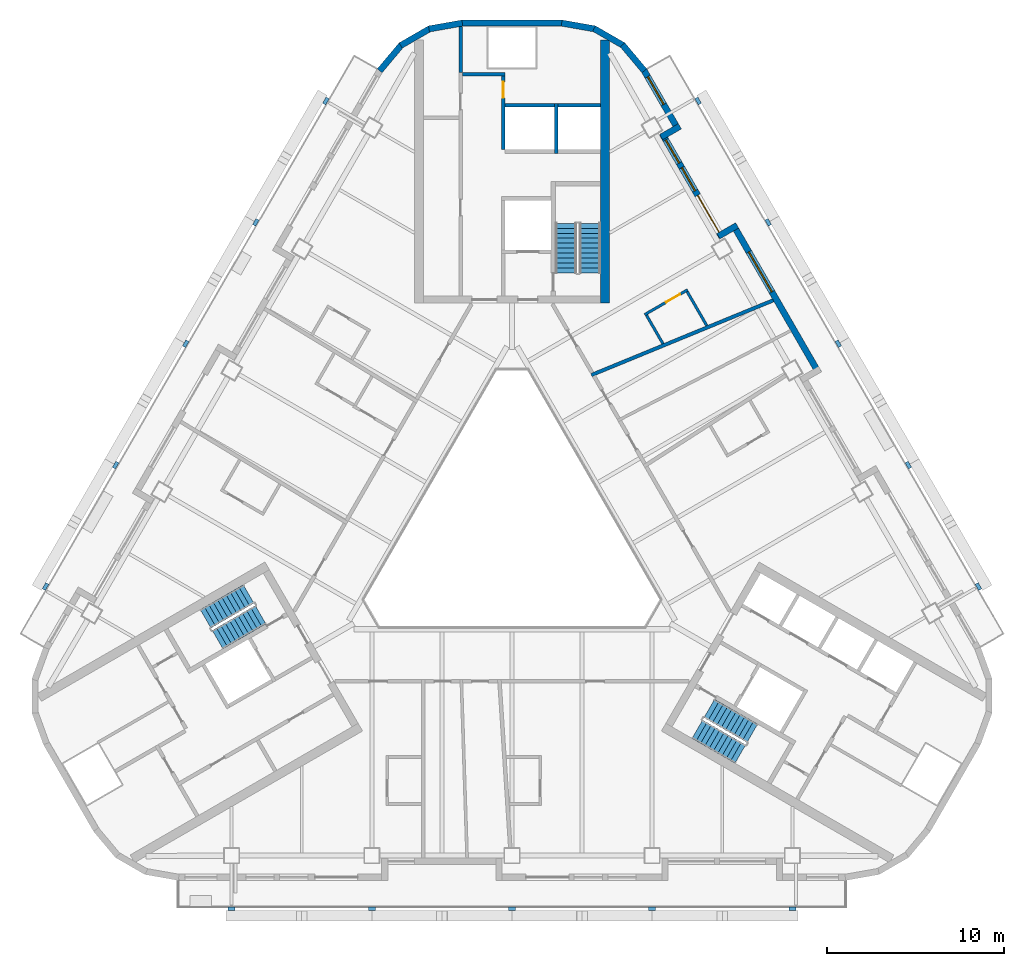
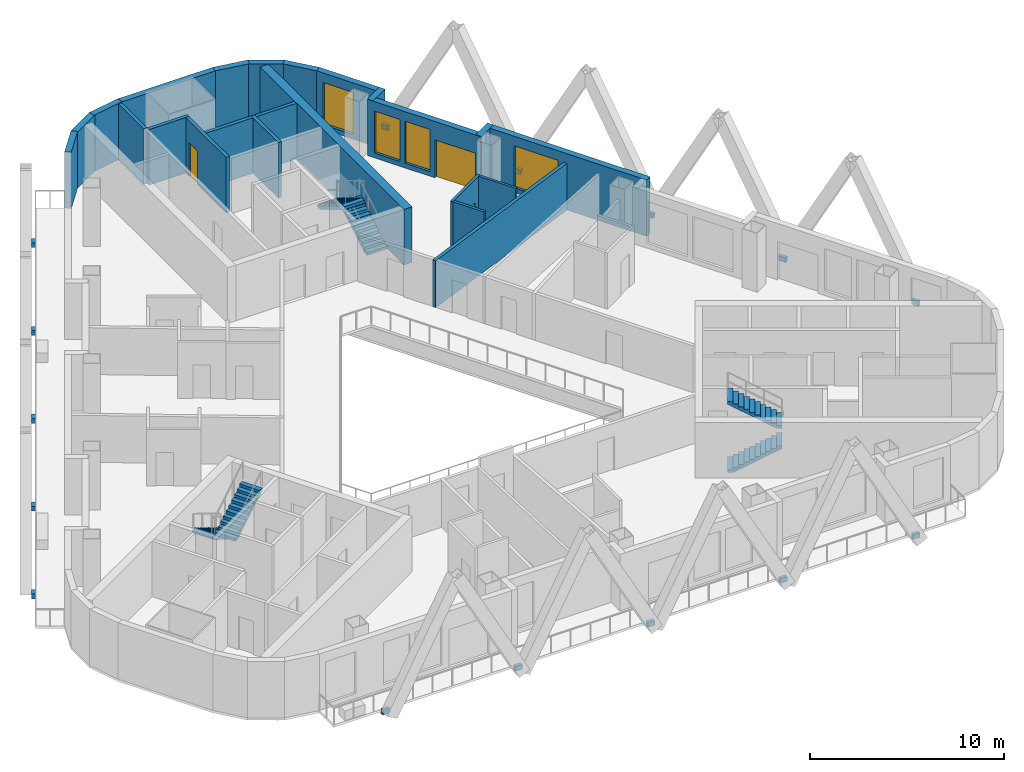
# One storey, part 7 of 13: 23 walls, 15 discrete accessories, 6 stair flights, 4 windows, 3 doors, 7 openings, 3 elements without a shape of their own.
"""IFC4 building model written with IfcOpenShell, lengths in metres."""

from ifc_helpers import new_model, si_unit, direction, frame, frame_2d, origin, origin_2d, place, context, subcontext, project, spatial, polyline, rectangle, outline, extrude, material, layer, layer_set, type_object, element, fill, aggregate, save


model = new_model("IFC4")

# Units and contexts
model_context = context("Model", 3, precision=1e-05, world=origin(), true_north=direction((0.0, 1.0)))
body_context = subcontext(model_context, "Body", "Model", "MODEL_VIEW")
ifc_project = project(units=[si_unit("LENGTHUNIT", "METRE"), si_unit("AREAUNIT", "SQUARE_METRE"), si_unit("VOLUMEUNIT", "CUBIC_METRE"), si_unit("PLANEANGLEUNIT", "RADIAN"), si_unit("MASSUNIT", "GRAM", prefix="KILO")], contexts=[model_context])

# Site, building, storey
site_placement = place(None, origin())
site = spatial("IfcSite", under=ifc_project, at=site_placement, CompositionType="ELEMENT")
building_placement = place(site_placement, origin())
building = spatial("IfcBuilding", under=site, at=building_placement, Name="Apuvela Tower Hotel", CompositionType="ELEMENT")
storey_placement = place(building_placement, frame((0.0, 0.0, 105.699951171875)))
storey = spatial("IfcBuildingStorey", under=building, at=storey_placement, Name="L24", CompositionType="ELEMENT", Elevation=105.699951171875)

# Walls
ifc_material_1 = material(Name="Concrete C50/60", Category="concrete")
ifc_layer_1 = layer(ifc_material_1, 0.5)
ifc_layer_set_1 = layer_set([ifc_layer_1], Name="COR-WALL-CORE-500")
wall_type_1 = type_object("IfcWallType", Name="COR-WALL-CORE-500", PredefinedType="SHEAR", material=ifc_layer_set_1)
wall_1_placement = place(storey_placement, frame((5.25, 12.89990234375, 0.0), z_axis=(0.0, 0.0, 1.0), x_axis=(0.0, 1.0, 0.0)))
element("IfcWall", 1, at=wall_1_placement, inside=storey, type_object=wall_type_1, Name="Core wall N", PredefinedType="SHEAR", context=body_context, shape_type="SweptSolid", body=[
    extrude(rectangle(XDim=14.8369140625, YDim=0.5, at=frame_2d((7.41845703125, 0.0))), origin(), (0.0, 0.0, 1.0), 3.5),
])
ifc_layer_2 = layer(ifc_material_1, 0.199951171875)
ifc_layer_set_2 = layer_set([ifc_layer_2], Name="COR-WALL-SHAFT-200")
wall_type_2 = type_object("IfcWallType", Name="COR-WALL-SHAFT-200", PredefinedType="SHEAR", material=ifc_layer_set_2)
wall_2_placement = place(storey_placement, frame((-0.39990234375, 25.800048828125, 0.0), z_axis=(0.0, 0.0, 1.0), x_axis=(-1.0, 0.0, 0.0)))
element("IfcWall", 2, at=wall_2_placement, inside=storey, type_object=wall_type_2, Name="Shaft wall N", PredefinedType="SHEAR", context=body_context, shape_type="SweptSolid", body=[
    extrude(rectangle(XDim=2.400146484375, YDim=0.199951171875, at=frame_2d((1.2001953125, 0.0))), origin(), (0.0, 0.0, 1.0), 3.5),
])

# Wall, opening, door
wall_3_placement = place(storey_placement, frame((-0.5, 21.550048828125, 0.0), z_axis=(0.0, 0.0, 1.0), x_axis=(0.0, 1.0, 0.0)))
wall_3 = element("IfcWall", 3, at=wall_3_placement, inside=storey, type_object=wall_type_2, Name="Shaft wall N", PredefinedType="SHEAR", context=body_context, shape_type="SweptSolid", body=[
    extrude(rectangle(XDim=4.14990234375, YDim=0.199951171875, at=frame_2d((2.074951171875, 0.0))), origin(), (0.0, 0.0, 1.0), 3.5),
])
opening_1_placement = place(wall_3_placement, frame((2.925048828125, 0.0, 0.0)))
opening_1 = element("IfcOpeningElement", 4, at=opening_1_placement, cuts=wall_3, Name="Opening N-RSP", PredefinedType="OPENING", context=body_context, shape_type="SweptSolid", body=[
    extrude(rectangle(XDim=0.89990234375, YDim=2.10009765625, at=frame_2d((0.449951171875, 1.050048828125))), frame((0.0, 0.10986328125, 0.0), z_axis=(0.0, -1.0, 0.0), x_axis=(1.0, 0.0, 0.0)), (0.0, 0.0, 1.0), 0.219970703125),
])
ifc_material_2 = material(Name="Steel fire door, powder coated", Category="steel")
door_type_1 = type_object("IfcDoorType", Name="COR-DR-900", OperationType="NOTDEFINED", PredefinedType="DOOR", material=ifc_material_2)
door_1_placement = place(opening_1_placement, frame((0.89990234375, 0.0, 0.0), z_axis=(0.0, 0.0, 1.0), x_axis=(-1.0, 0.0, 0.0)))
door_1 = element("IfcDoor", 5, at=door_1_placement, inside=storey, type_object=door_type_1, Name="Store door N-RSP", OperationType="SINGLE_SWING_LEFT", OverallHeight=2.10009765625, OverallWidth=0.89990234375, PredefinedType="DOOR", context=body_context, shape_type="SweptSolid", body=[
    extrude(rectangle(XDim=0.89990234375, YDim=2.10009765625, at=frame_2d((0.449951171875, 1.050048828125))), frame((0.0, 0.02490234375, 0.0), z_axis=(0.0, -1.0, 0.0), x_axis=(1.0, 0.0, 0.0)), (0.0, 0.0, 1.0), 0.050048828125),
])
fill(opening_1, door_1)

# Walls
wall_4_placement = place(storey_placement, frame((-2.89990234375, 25.89990234375, 0.0), z_axis=(0.0, 0.0, 1.0), x_axis=(0.0, 1.0, 0.0)))
element("IfcWall", 6, at=wall_4_placement, inside=storey, type_object=wall_type_2, Name="Shaft wall N", PredefinedType="SHEAR", context=body_context, shape_type="SweptSolid", body=[
    extrude(rectangle(XDim=2.60009765625, YDim=0.199951171875, at=frame_2d((1.300048828125, 0.0))), origin(), (0.0, 0.0, 1.0), 3.5),
])
wall_5_placement = place(storey_placement, frame((2.5, 21.35009765625, 0.0), z_axis=(0.0, 0.0, 1.0), x_axis=(0.0, 1.0, 0.0)))
element("IfcWall", 7, at=wall_5_placement, inside=storey, type_object=wall_type_2, Name="Shaft wall N", PredefinedType="SHEAR", context=body_context, shape_type="SweptSolid", body=[
    extrude(rectangle(XDim=2.7998046875, YDim=0.199951171875, at=frame_2d((1.39990234375, 0.0))), origin(), (0.0, 0.0, 1.0), 3.5),
])
wall_6_placement = place(storey_placement, frame((5.0, 24.050048828125, 0.0), z_axis=(0.0, 0.0, 1.0), x_axis=(-1.0, 0.0, 0.0)))
element("IfcWall", 8, at=wall_6_placement, inside=storey, type_object=wall_type_2, Name="Shaft wall N", PredefinedType="SHEAR", context=body_context, shape_type="SweptSolid", body=[
    extrude(rectangle(XDim=2.39990234375, YDim=0.199951171875, at=frame_2d((1.199951171875, 0.0))), origin(), (0.0, 0.0, 1.0), 3.5),
])
wall_7_placement = place(storey_placement, frame((2.39990234375, 24.050048828125, 0.0), z_axis=(0.0, 0.0, 1.0), x_axis=(-1.0, 0.0, 0.0)))
element("IfcWall", 9, at=wall_7_placement, inside=storey, type_object=wall_type_2, Name="Shaft wall N", PredefinedType="SHEAR", context=body_context, shape_type="SweptSolid", body=[
    extrude(rectangle(XDim=2.7998046875, YDim=0.199951171875, at=frame_2d((1.39990234375, 0.0))), origin(), (0.0, 0.0, 1.0), 3.5),
])

# Wall, opening, window
ifc_material_3 = material(Name="Concrete C40/50, dark pigmented precast panel", Category="concrete")
ifc_layer_3 = layer(ifc_material_3, 0.35009765625)
ifc_layer_set_3 = layer_set([ifc_layer_3], Name="ENV-WALL-350")
wall_type_3 = type_object("IfcWallType", Name="ENV-WALL-350", PredefinedType="SOLIDWALL", material=ifc_layer_set_3)
wall_8_placement = place(storey_placement, frame((17.298583984375, 8.947998046875, 0.0), z_axis=(0.0, 0.0, 1.0), x_axis=(-0.500010041276, 0.866019606374, 0.0)))
wall_8 = element("IfcWall", 10, at=wall_8_placement, inside=storey, type_object=wall_type_3, Name="External wall L24-37", PredefinedType="SOLIDWALL", context=body_context, shape_type="SweptSolid", body=[
    extrude(rectangle(XDim=9.699951171875, YDim=0.35009765625, at=frame_2d((4.85009765625, 0.0))), origin(), (0.0, 0.0, 1.0), 3.550048828125),
])
opening_2_placement = place(wall_8_placement, frame((5.301025390625, 0.0, 0.300048828125)))
opening_2 = element("IfcOpeningElement", 11, at=opening_2_placement, cuts=wall_8, Name="Opening WN26", PredefinedType="OPENING", context=body_context, shape_type="SweptSolid", body=[
    extrude(rectangle(XDim=2.60009765625, YDim=2.64990234375, at=frame_2d((1.300048828125, 1.324951171875))), frame((0.0, 0.18505859375, 0.0), z_axis=(0.0, -1.0, 0.0), x_axis=(1.0, 0.0, 0.0)), (0.0, 0.0, 1.0), 0.3701171875),
])
ifc_material_4 = material(Name="Glass, dark tinted laminated insulated glazing unit", Category="glass")
window_type_1 = type_object("IfcWindowType", Name="ENV-WIN-2600x2650", PartitioningType="SINGLE_PANEL", PredefinedType="WINDOW", material=ifc_material_4)
window_1_placement = place(opening_2_placement, origin())
window_1 = element("IfcWindow", 12, at=window_1_placement, inside=storey, type_object=window_type_1, Name="Window WN26", OverallHeight=2.64990234375, OverallWidth=2.60009765625, PartitioningType="SINGLE_PANEL", PredefinedType="WINDOW", context=body_context, shape_type="SweptSolid", body=[
    extrude(rectangle(XDim=2.60009765625, YDim=2.64990234375, at=frame_2d((1.300048828125, 1.324951171875))), frame((0.0, 0.030029296875, 0.0), z_axis=(0.0, -1.0, 0.0), x_axis=(1.0, 0.0, 0.0)), (0.0, 0.0, 1.0), 0.06005859375),
])
fill(opening_2, window_1)

# Wall
wall_9_placement = place(storey_placement, frame((12.6875, 17.284423828125, 0.0), z_axis=(0.0, 0.0, 1.0), x_axis=(-0.865955602162, -0.500120880472, 0.0)))
element("IfcWall", 13, at=wall_9_placement, inside=storey, type_object=wall_type_3, Name="External wall L24-38", PredefinedType="SOLIDWALL", context=body_context, shape_type="SweptSolid", body=[
    extrude(rectangle(XDim=1.219970703125, YDim=0.35009765625, at=frame_2d((0.60986328125, 0.0))), origin(), (0.0, 0.0, 1.0), 3.550048828125),
])

# Wall, openings, door, windows
wall_10_placement = place(storey_placement, frame((11.8291015625, 16.621337890625, 0.0), z_axis=(0.0, 0.0, 1.0), x_axis=(-0.500003597184, 0.866023326939, 0.0)))
wall_10 = element("IfcWall", 14, at=wall_10_placement, inside=storey, type_object=wall_type_3, Name="External wall L24-39", PredefinedType="SOLIDWALL", context=body_context, shape_type="SweptSolid", body=[
    extrude(rectangle(XDim=6.740234375, YDim=0.35009765625, at=frame_2d((3.3701171875, 0.0))), origin(), (0.0, 0.0, 1.0), 3.550048828125),
])
opening_3_placement = place(wall_10_placement, frame((0.320068359375, 0.0, 0.0)))
opening_3 = element("IfcOpeningElement", 15, at=opening_3_placement, cuts=wall_10, Name="Opening BD24", PredefinedType="OPENING", context=body_context, shape_type="SweptSolid", body=[
    extrude(rectangle(XDim=2.39990234375, YDim=2.39990234375, at=frame_2d((1.199951171875, 1.199951171875))), frame((0.0, 0.18505859375, 0.0), z_axis=(0.0, -1.0, 0.0), x_axis=(1.0, 0.0, 0.0)), (0.0, 0.0, 1.0), 0.3701171875),
])
opening_4_placement = place(wall_10_placement, frame((3.02001953125, 0.0, 0.300048828125)))
opening_4 = element("IfcOpeningElement", 16, at=opening_4_placement, cuts=wall_10, Name="Opening WN15", PredefinedType="OPENING", context=body_context, shape_type="SweptSolid", body=[
    extrude(rectangle(XDim=1.5, YDim=2.64990234375, at=frame_2d((0.75, 1.324951171875))), frame((0.0, 0.18505859375, 0.0), z_axis=(0.0, -1.0, 0.0), x_axis=(1.0, 0.0, 0.0)), (0.0, 0.0, 1.0), 0.3701171875),
])
opening_5_placement = place(wall_10_placement, frame((4.820068359375, 0.0, 0.300048828125)))
opening_5 = element("IfcOpeningElement", 17, at=opening_5_placement, cuts=wall_10, Name="Opening WN15", PredefinedType="OPENING", context=body_context, shape_type="SweptSolid", body=[
    extrude(rectangle(XDim=1.5, YDim=2.64990234375, at=frame_2d((0.75, 1.324951171875))), frame((0.0, 0.18505859375, 0.0), z_axis=(0.0, -1.0, 0.0), x_axis=(1.0, 0.0, 0.0)), (0.0, 0.0, 1.0), 0.3701171875),
])
ifc_material_5 = material(Name="Aluminium 6063-T6, dark bronze anodised frame with dark tinted laminated glass", Category="aluminium")
door_type_2 = type_object("IfcDoorType", Name="ENV-DOOR-BALCONY-2400x2400", OperationType="SLIDING_TO_LEFT", PredefinedType="DOOR", material=ifc_material_5)
door_2_placement = place(opening_3_placement, frame((2.39990234375, 0.0, 0.0), z_axis=(0.0, 0.0, 1.0), x_axis=(-1.0, 0.0, 0.0)))
door_2 = element("IfcDoor", 18, at=door_2_placement, inside=storey, type_object=door_type_2, Name="Balcony door BD24", OperationType="SLIDING_TO_LEFT", OverallHeight=2.39990234375, OverallWidth=2.39990234375, PredefinedType="DOOR", context=body_context, shape_type="SweptSolid", body=[
    extrude(rectangle(XDim=2.39990234375, YDim=2.39990234375, at=frame_2d((1.199951171875, 1.199951171875))), frame((0.0, 0.02490234375, 0.0), z_axis=(0.0, -1.0, 0.0), x_axis=(1.0, 0.0, 0.0)), (0.0, 0.0, 1.0), 0.050048828125),
])
fill(opening_3, door_2)
window_type_2 = type_object("IfcWindowType", Name="ENV-WIN-1500x2650", PartitioningType="SINGLE_PANEL", PredefinedType="WINDOW", material=ifc_material_4)
window_2_placement = place(opening_4_placement, origin())
window_2 = element("IfcWindow", 19, at=window_2_placement, inside=storey, type_object=window_type_2, Name="Window WN15", OverallHeight=2.64990234375, OverallWidth=1.5, PartitioningType="SINGLE_PANEL", PredefinedType="WINDOW", context=body_context, shape_type="SweptSolid", body=[
    extrude(rectangle(XDim=1.5, YDim=2.64990234375, at=frame_2d((0.75, 1.324951171875))), frame((0.0, 0.030029296875, 0.0), z_axis=(0.0, -1.0, 0.0), x_axis=(1.0, 0.0, 0.0)), (0.0, 0.0, 1.0), 0.06005859375),
])
fill(opening_4, window_2)
window_3_placement = place(opening_5_placement, origin())
window_3 = element("IfcWindow", 20, at=window_3_placement, inside=storey, type_object=window_type_2, Name="Window WN15", OverallHeight=2.64990234375, OverallWidth=1.5, PartitioningType="SINGLE_PANEL", PredefinedType="WINDOW", context=body_context, shape_type="SweptSolid", body=[
    extrude(rectangle(XDim=1.5, YDim=2.64990234375, at=frame_2d((0.75, 1.324951171875))), frame((0.0, 0.030029296875, 0.0), z_axis=(0.0, -1.0, 0.0), x_axis=(1.0, 0.0, 0.0)), (0.0, 0.0, 1.0), 0.06005859375),
])
fill(opening_5, window_3)

# Wall
wall_11_placement = place(storey_placement, frame((8.406005859375, 22.26025390625, 0.0), z_axis=(0.0, 0.0, 1.0), x_axis=(0.865955602162, 0.500120880472, 0.0)))
element("IfcWall", 21, at=wall_11_placement, inside=storey, type_object=wall_type_3, Name="External wall L24-40", PredefinedType="SOLIDWALL", context=body_context, shape_type="SweptSolid", body=[
    extrude(rectangle(XDim=1.219970703125, YDim=0.35009765625, at=frame_2d((0.60986328125, 0.0))), origin(), (0.0, 0.0, 1.0), 3.550048828125),
])

# Wall, opening, window
wall_12_placement = place(storey_placement, frame((9.3984375, 22.631103515625, 0.0), z_axis=(0.0, 0.0, 1.0), x_axis=(-0.499954521343, 0.866051659307, 0.0)))
wall_12 = element("IfcWall", 22, at=wall_12_placement, inside=storey, type_object=wall_type_3, Name="External wall L24-41", PredefinedType="SOLIDWALL", context=body_context, shape_type="SweptSolid", body=[
    extrude(rectangle(XDim=3.915771484375, YDim=0.35009765625, at=frame_2d((1.9580078125, 0.0))), origin(), (0.0, 0.0, 1.0), 3.550048828125),
])
opening_6_placement = place(wall_12_placement, frame((1.69970703125, 0.0, 0.300048828125)))
opening_6 = element("IfcOpeningElement", 23, at=opening_6_placement, cuts=wall_12, Name="Opening WN18", PredefinedType="OPENING", context=body_context, shape_type="SweptSolid", body=[
    extrude(rectangle(XDim=1.800048828125, YDim=2.64990234375, at=frame_2d((0.89990234375, 1.324951171875))), frame((0.0, 0.18505859375, 0.0), z_axis=(0.0, -1.0, 0.0), x_axis=(1.0, 0.0, 0.0)), (0.0, 0.0, 1.0), 0.3701171875),
])
window_type_3 = type_object("IfcWindowType", Name="ENV-WIN-1800x2650", PartitioningType="SINGLE_PANEL", PredefinedType="WINDOW", material=ifc_material_4)
window_4_placement = place(opening_6_placement, origin())
window_4 = element("IfcWindow", 24, at=window_4_placement, inside=storey, type_object=window_type_3, Name="Window WN18", OverallHeight=2.64990234375, OverallWidth=1.800048828125, PartitioningType="SINGLE_PANEL", PredefinedType="WINDOW", context=body_context, shape_type="SweptSolid", body=[
    extrude(rectangle(XDim=1.800048828125, YDim=2.64990234375, at=frame_2d((0.89990234375, 1.324951171875))), frame((0.0, 0.030029296875, 0.0), z_axis=(0.0, -1.0, 0.0), x_axis=(1.0, 0.0, 0.0)), (0.0, 0.0, 1.0), 0.06005859375),
])
fill(opening_6, window_4)

# Walls
wall_13_placement = place(storey_placement, frame((7.4580078125, 25.99755859375, 0.0), z_axis=(0.0, 0.0, 1.0), x_axis=(-0.642808304945, 0.766027077259, 0.0)))
element("IfcWall", 25, at=wall_13_placement, inside=storey, type_object=wall_type_3, Name="External wall L24-42", PredefinedType="SOLIDWALL", context=body_context, shape_type="SweptSolid", body=[
    extrude(rectangle(XDim=1.909912109375, YDim=0.35009765625, at=frame_2d((0.955078125, 0.0))), origin(), (0.0, 0.0, 1.0), 3.550048828125),
])
for number, where, z_axis, x_axis, name in (
    (26, (6.27685546875, 27.421630859375, 0.0), (0.0, 0.0, 1.0), (-0.866032345022, 0.499987977232, 0.0), "External wall L24-43"),
    (27, (4.6796875, 28.35595703125, 0.0), (0.0, 0.0, 1.0), (-0.984798995425, 0.173697837091, 0.0), "External wall L24-44"),
):
    element("IfcWall", number, at=place(storey_placement, frame(where, z_axis=z_axis, x_axis=x_axis)), inside=storey, type_object=wall_type_3, Name=name, PredefinedType="SOLIDWALL", context=body_context, shape_type="SweptSolid", body=[
        extrude(rectangle(XDim=1.91015625, YDim=0.35009765625, at=frame_2d((0.955078125, 0.0))), origin(), (0.0, 0.0, 1.0), 3.550048828125),
    ])
wall_14_placement = place(storey_placement, frame((2.8291015625, 28.68505859375, 0.0), z_axis=(0.0, 0.0, 1.0), x_axis=(-1.0, 0.0, 0.0)))
element("IfcWall", 28, at=wall_14_placement, inside=storey, type_object=wall_type_3, Name="External wall L24-45", PredefinedType="SOLIDWALL", context=body_context, shape_type="SweptSolid", body=[
    extrude(rectangle(XDim=5.658203125, YDim=0.35009765625, at=frame_2d((2.8291015625, 0.0))), origin(), (0.0, 0.0, 1.0), 3.550048828125),
])
for number, where, z_axis, x_axis, name in (
    (29, (-2.798583984375, 28.687744140625, 0.0), (0.0, 0.0, 1.0), (-0.984798995425, -0.173697837091, 0.0), "External wall L24-46"),
    (30, (-4.62255859375, 28.376708984375, 0.0), (0.0, 0.0, 1.0), (-0.866032345022, -0.499987977232, 0.0), "External wall L24-47"),
):
    element("IfcWall", number, at=place(storey_placement, frame(where, z_axis=z_axis, x_axis=x_axis)), inside=storey, type_object=wall_type_3, Name=name, PredefinedType="SOLIDWALL", context=body_context, shape_type="SweptSolid", body=[
        extrude(rectangle(XDim=1.91015625, YDim=0.35009765625, at=frame_2d((0.955078125, 0.0))), origin(), (0.0, 0.0, 1.0), 3.550048828125),
    ])
wall_15_placement = place(storey_placement, frame((-6.230224609375, 27.460693359375, 0.0), z_axis=(0.0, 0.0, 1.0), x_axis=(-0.642808304945, -0.766027077259, 0.0)))
element("IfcWall", 31, at=wall_15_placement, inside=storey, type_object=wall_type_3, Name="External wall L24-48", PredefinedType="SOLIDWALL", context=body_context, shape_type="SweptSolid", body=[
    extrude(rectangle(XDim=1.909912109375, YDim=0.35009765625, at=frame_2d((0.955078125, 0.0))), origin(), (0.0, 0.0, 1.0), 3.550048828125),
])
ifc_material_6 = material(Name="Gypsum board partition on twin steel stud", Category="steel")
ifc_layer_4 = layer(ifc_material_6, 0.199951171875)
ifc_layer_set_4 = layer_set([ifc_layer_4], Name="GST-PW1")
wall_type_4 = type_object("IfcWallType", Name="GST-PW1", PredefinedType="PARTITIONING", material=ifc_layer_set_4)
wall_16_placement = place(storey_placement, frame((14.721923828125, 13.060791015625, 0.0), z_axis=(0.0, 0.0, 1.0), x_axis=(-0.9249494111, -0.380090235214, 0.0)))
element("IfcWall", 32, at=wall_16_placement, inside=storey, type_object=wall_type_4, Name="L24 partition 04", PredefinedType="PARTITIONING", context=body_context, shape_type="SweptSolid", body=[
    extrude(rectangle(XDim=11.078857421875, YDim=0.199951171875, at=frame_2d((5.53955078125, 0.0))), origin(), (0.0, 0.0, 1.0), 2.949951171875),
])

# Wall, opening, door
ifc_material_7 = material(Name="Moisture-resistant gypsum board wet wall on steel stud", Category="steel")
ifc_layer_5 = layer(ifc_material_7, 0.14990234375)
ifc_layer_set_5 = layer_set([ifc_layer_5], Name="GST-PW3")
wall_type_5 = type_object("IfcWallType", Name="GST-PW3", PredefinedType="PARTITIONING", material=ifc_layer_set_5)
wall_17_placement = place(storey_placement, frame((9.899658203125, 13.6533203125, 0.0), z_axis=(0.0, 0.0, 1.0), x_axis=(-0.866056369097, -0.49994636267, 0.0)))
wall_17 = element("IfcWall", 33, at=wall_17_placement, inside=storey, type_object=wall_type_5, Name="L24 partition 26", PredefinedType="PARTITIONING", context=body_context, shape_type="SweptSolid", body=[
    extrude(rectangle(XDim=2.800048828125, YDim=0.14990234375, at=frame_2d((1.39990234375, 0.0))), origin(), (0.0, 0.0, 1.0), 3.550048828125),
])
opening_7_placement = place(wall_17_placement, frame((0.5, 0.0, 0.0)))
opening_7 = element("IfcOpeningElement", 34, at=opening_7_placement, cuts=wall_17, Name="Opening GD08-11", PredefinedType="OPENING", context=body_context, shape_type="SweptSolid", body=[
    extrude(rectangle(XDim=0.89990234375, YDim=2.10009765625, at=frame_2d((0.449951171875, 1.050048828125))), frame((0.0, 0.0849609375, 0.0), z_axis=(0.0, -1.0, 0.0), x_axis=(1.0, 0.0, 0.0)), (0.0, 0.0, 1.0), 0.169921875),
])
ifc_material_8 = material(Name="Timber door leaf in steel frame", Category="steel")
door_type_3 = type_object("IfcDoorType", Name="GST-D2", OperationType="NOTDEFINED", PredefinedType="DOOR", material=ifc_material_8)
door_3_placement = place(opening_7_placement, origin())
door_3 = element("IfcDoor", 35, at=door_3_placement, inside=storey, type_object=door_type_3, Name="Door L24-11", OperationType="SINGLE_SWING_LEFT", OverallHeight=2.10009765625, OverallWidth=0.89990234375, PredefinedType="DOOR", context=body_context, shape_type="SweptSolid", body=[
    extrude(rectangle(XDim=0.89990234375, YDim=2.10009765625, at=frame_2d((0.449951171875, 1.050048828125))), frame((0.0, 0.02490234375, 0.0), z_axis=(0.0, -1.0, 0.0), x_axis=(1.0, 0.0, 0.0)), (0.0, 0.0, 1.0), 0.050048828125),
])
fill(opening_7, door_3)

# Walls
wall_18_placement = place(storey_placement, frame((10.98046875, 11.63134765625, 0.0), z_axis=(0.0, 0.0, 1.0), x_axis=(-0.500024353964, 0.86601134256, 0.0)))
element("IfcWall", 36, at=wall_18_placement, inside=storey, type_object=wall_type_5, Name="L24 partition 27", PredefinedType="PARTITIONING", context=body_context, shape_type="SweptSolid", body=[
    extrude(rectangle(XDim=2.216796875, YDim=0.14990234375, at=frame_2d((1.1083984375, 0.0))), origin(), (0.0, 0.0, 1.0), 3.550048828125),
])
wall_19_placement = place(storey_placement, frame((8.507080078125, 10.614990234375, 0.0), z_axis=(0.0, 0.0, 1.0), x_axis=(-0.499908018857, 0.866078502609, 0.0)))
element("IfcWall", 37, at=wall_19_placement, inside=storey, type_object=wall_type_5, Name="L24 partition 28", PredefinedType="PARTITIONING", context=body_context, shape_type="SweptSolid", body=[
    extrude(rectangle(XDim=1.860107421875, YDim=0.14990234375, at=frame_2d((0.93017578125, 0.0))), origin(), (0.0, 0.0, 1.0), 3.550048828125),
])

# Stair, stair flights
stair_type = type_object("IfcStairType", Name="COR-STAIR-22R", PredefinedType="HALF_TURN_STAIR", material=ifc_material_1)
stair_1_placement = place(storey_placement, origin())
stair_1 = element("IfcStair", 38, at=stair_1_placement, inside=storey, type_object=stair_type, Name="L24 Exit stair ST1", PredefinedType="HALF_TURN_STAIR")
stair_flight_type = type_object("IfcStairFlightType", Name="COR-FLIGHT-11R", PredefinedType="STRAIGHT", material=ifc_material_1)
stair_flight_1_placement = place(storey_placement, frame((4.39990234375, 14.60009765625, 0.0), z_axis=(0.0, 0.0, 1.0), x_axis=(0.0, 1.0, 0.0)))
stair_flight_1 = element("IfcStairFlight", 39, at=stair_flight_1_placement, type_object=stair_flight_type, Name="ST1 flight 1", NumberOfRisers=11, NumberOfTreads=10, PredefinedType="STRAIGHT", RiserHeight=0.168181818, TreadLength=0.28, context=body_context, shape_type="SweptSolid", body=[
    extrude(outline(polyline([(0.0, 0.0), (0.0, 0.168212890625), (0.280029296875, 0.168212890625), (0.280029296875, 0.33642578125), (0.56005859375, 0.33642578125), (0.56005859375, 0.504638671875), (0.840087890625, 0.504638671875), (0.840087890625, 0.672607421875), (1.1201171875, 0.672607421875), (1.1201171875, 0.8408203125), (1.39990234375, 0.8408203125), (1.39990234375, 1.009033203125), (1.679931640625, 1.009033203125), (1.679931640625, 1.17724609375), (1.9599609375, 1.17724609375), (1.9599609375, 1.345458984375), (2.239990234375, 1.345458984375), (2.239990234375, 1.513671875), (2.52001953125, 1.513671875), (2.52001953125, 1.681884765625), (2.800048828125, 1.681884765625), (2.800048828125, 1.85009765625), (2.800048828125, 1.5068359375), (0.291015625, 0.0), (0.0, 0.0)])), frame((0.0, 0.60009765625, 0.0), z_axis=(0.0, -1.0, 0.0), x_axis=(1.0, 0.0, 0.0)), (0.0, 0.0, 1.0), 1.199951171875),
])
stair_flight_2_placement = place(storey_placement, frame((3.050048828125, 17.39990234375, 1.85009765625), z_axis=(0.0, 0.0, 1.0), x_axis=(0.0, -1.0, 0.0)))
stair_flight_2 = element("IfcStairFlight", 40, at=stair_flight_2_placement, type_object=stair_flight_type, Name="ST1 flight 2", NumberOfRisers=11, NumberOfTreads=10, PredefinedType="STRAIGHT", RiserHeight=0.168181818, TreadLength=0.28, context=body_context, shape_type="SweptSolid", body=[
    extrude(outline(polyline([(0.0, 0.0), (0.0, 0.168212890625), (0.280029296875, 0.168212890625), (0.280029296875, 0.33642578125), (0.56005859375, 0.33642578125), (0.56005859375, 0.504638671875), (0.840087890625, 0.504638671875), (0.840087890625, 0.672607421875), (1.1201171875, 0.672607421875), (1.1201171875, 0.8408203125), (1.39990234375, 0.8408203125), (1.39990234375, 1.009033203125), (1.679931640625, 1.009033203125), (1.679931640625, 1.17724609375), (1.9599609375, 1.17724609375), (1.9599609375, 1.345458984375), (2.239990234375, 1.345458984375), (2.239990234375, 1.513671875), (2.52001953125, 1.513671875), (2.52001953125, 1.681884765625), (2.800048828125, 1.681884765625), (2.800048828125, 1.85009765625), (2.800048828125, 1.5068359375), (0.291015625, 0.0), (0.0, 0.0)])), frame((0.0, 0.60009765625, 0.0), z_axis=(0.0, -1.0, 0.0), x_axis=(1.0, 0.0, 0.0)), (0.0, 0.0, 1.0), 1.199951171875),
])
aggregate(stair_1, [stair_flight_1, stair_flight_2])

stair_2_placement = place(storey_placement, origin())
stair_2 = element("IfcStair", 41, at=stair_2_placement, inside=storey, type_object=stair_type, Name="L24 Exit stair ST2", PredefinedType="HALF_TURN_STAIR")
stair_flight_3_placement = place(storey_placement, frame((-14.843994140625, -3.489501953125, 0.0), z_axis=(0.0, 0.0, 1.0), x_axis=(-0.866025403784, -0.5, 0.0)))
stair_flight_3 = element("IfcStairFlight", 42, at=stair_flight_3_placement, type_object=stair_flight_type, Name="ST2 flight 1", NumberOfRisers=11, NumberOfTreads=10, PredefinedType="STRAIGHT", RiserHeight=0.168181818, TreadLength=0.28, context=body_context, shape_type="SweptSolid", body=[
    extrude(outline(polyline([(0.0, 0.0), (0.0, 0.168212890625), (0.280029296875, 0.168212890625), (0.280029296875, 0.33642578125), (0.56005859375, 0.33642578125), (0.56005859375, 0.504638671875), (0.840087890625, 0.504638671875), (0.840087890625, 0.672607421875), (1.1201171875, 0.672607421875), (1.1201171875, 0.8408203125), (1.39990234375, 0.8408203125), (1.39990234375, 1.009033203125), (1.679931640625, 1.009033203125), (1.679931640625, 1.17724609375), (1.9599609375, 1.17724609375), (1.9599609375, 1.345458984375), (2.239990234375, 1.345458984375), (2.239990234375, 1.513671875), (2.52001953125, 1.513671875), (2.52001953125, 1.681884765625), (2.800048828125, 1.681884765625), (2.800048828125, 1.85009765625), (2.800048828125, 1.5068359375), (0.291015625, 0.0), (0.0, 0.0)])), frame((0.0, 0.60009765625, 0.0), z_axis=(0.0, -1.0, 0.0), x_axis=(1.0, 0.0, 0.0)), (0.0, 0.0, 1.0), 1.199951171875),
])
stair_flight_4_placement = place(storey_placement, frame((-16.59375, -6.05859375, 1.85009765625), z_axis=(0.0, 0.0, 1.0), x_axis=(0.866025403784, 0.5, 0.0)))
stair_flight_4 = element("IfcStairFlight", 43, at=stair_flight_4_placement, type_object=stair_flight_type, Name="ST2 flight 2", NumberOfRisers=11, NumberOfTreads=10, PredefinedType="STRAIGHT", RiserHeight=0.168181818, TreadLength=0.28, context=body_context, shape_type="SweptSolid", body=[
    extrude(outline(polyline([(0.0, 0.0), (0.0, 0.168212890625), (0.280029296875, 0.168212890625), (0.280029296875, 0.33642578125), (0.56005859375, 0.33642578125), (0.56005859375, 0.504638671875), (0.840087890625, 0.504638671875), (0.840087890625, 0.672607421875), (1.1201171875, 0.672607421875), (1.1201171875, 0.8408203125), (1.39990234375, 0.8408203125), (1.39990234375, 1.009033203125), (1.679931640625, 1.009033203125), (1.679931640625, 1.17724609375), (1.9599609375, 1.17724609375), (1.9599609375, 1.345458984375), (2.239990234375, 1.345458984375), (2.239990234375, 1.513671875), (2.52001953125, 1.513671875), (2.52001953125, 1.681884765625), (2.800048828125, 1.681884765625), (2.800048828125, 1.85009765625), (2.800048828125, 1.5068359375), (0.291015625, 0.0), (0.0, 0.0)])), frame((0.0, 0.60009765625, 0.0), z_axis=(0.0, -1.0, 0.0), x_axis=(1.0, 0.0, 0.0)), (0.0, 0.0, 1.0), 1.199951171875),
])
aggregate(stair_2, [stair_flight_3, stair_flight_4])

stair_3_placement = place(storey_placement, origin())
stair_3 = element("IfcStair", 44, at=stair_3_placement, inside=storey, type_object=stair_type, Name="L24 Exit stair ST3", PredefinedType="HALF_TURN_STAIR")
stair_flight_5_placement = place(storey_placement, frame((10.444091796875, -11.110595703125, 0.0), z_axis=(0.0, 0.0, 1.0), x_axis=(0.866025403784, -0.5, 0.0)))
stair_flight_5 = element("IfcStairFlight", 45, at=stair_flight_5_placement, type_object=stair_flight_type, Name="ST3 flight 1", NumberOfRisers=11, NumberOfTreads=10, PredefinedType="STRAIGHT", RiserHeight=0.168181818, TreadLength=0.28, context=body_context, shape_type="SweptSolid", body=[
    extrude(outline(polyline([(0.0, 0.0), (0.0, 0.168212890625), (0.280029296875, 0.168212890625), (0.280029296875, 0.33642578125), (0.56005859375, 0.33642578125), (0.56005859375, 0.504638671875), (0.840087890625, 0.504638671875), (0.840087890625, 0.672607421875), (1.1201171875, 0.672607421875), (1.1201171875, 0.8408203125), (1.39990234375, 0.8408203125), (1.39990234375, 1.009033203125), (1.679931640625, 1.009033203125), (1.679931640625, 1.17724609375), (1.9599609375, 1.17724609375), (1.9599609375, 1.345458984375), (2.239990234375, 1.345458984375), (2.239990234375, 1.513671875), (2.52001953125, 1.513671875), (2.52001953125, 1.681884765625), (2.800048828125, 1.681884765625), (2.800048828125, 1.85009765625), (2.800048828125, 1.5068359375), (0.291015625, 0.0), (0.0, 0.0)])), frame((0.0, 0.60009765625, 0.0), z_axis=(0.0, -1.0, 0.0), x_axis=(1.0, 0.0, 0.0)), (0.0, 0.0, 1.0), 1.199951171875),
])
stair_flight_6_placement = place(storey_placement, frame((13.5439453125, -11.34130859375, 1.85009765625), z_axis=(0.0, 0.0, 1.0), x_axis=(-0.866025403784, 0.5, 0.0)))
stair_flight_6 = element("IfcStairFlight", 46, at=stair_flight_6_placement, type_object=stair_flight_type, Name="ST3 flight 2", NumberOfRisers=11, NumberOfTreads=10, PredefinedType="STRAIGHT", RiserHeight=0.168181818, TreadLength=0.28, context=body_context, shape_type="SweptSolid", body=[
    extrude(outline(polyline([(0.0, 0.0), (0.0, 0.168212890625), (0.280029296875, 0.168212890625), (0.280029296875, 0.33642578125), (0.56005859375, 0.33642578125), (0.56005859375, 0.504638671875), (0.840087890625, 0.504638671875), (0.840087890625, 0.672607421875), (1.1201171875, 0.672607421875), (1.1201171875, 0.8408203125), (1.39990234375, 0.8408203125), (1.39990234375, 1.009033203125), (1.679931640625, 1.009033203125), (1.679931640625, 1.17724609375), (1.9599609375, 1.17724609375), (1.9599609375, 1.345458984375), (2.239990234375, 1.345458984375), (2.239990234375, 1.513671875), (2.52001953125, 1.513671875), (2.52001953125, 1.681884765625), (2.800048828125, 1.681884765625), (2.800048828125, 1.85009765625), (2.800048828125, 1.5068359375), (0.291015625, 0.0), (0.0, 0.0)])), frame((0.0, 0.60009765625, 0.0), z_axis=(0.0, -1.0, 0.0), x_axis=(1.0, 0.0, 0.0)), (0.0, 0.0, 1.0), 1.199951171875),
])
aggregate(stair_3, [stair_flight_5, stair_flight_6])

# Discrete accessories
ifc_material_9 = material(Name="Steel S355, black paint system", Category="steel")
discrete_accessory_type = type_object("IfcDiscreteAccessoryType", Name="ENV-FIN-BRACKET", PredefinedType="BRACKET", material=ifc_material_9)
for number, where, z_axis, x_axis, name in (
    (47, (26.28564453125, -3.068115234375, -0.25), (0.0, 0.0, 1.0), (-0.5, 0.866025403784, 0.0), "Fin bracket NE37"),
    (48, (22.335693359375, 3.7734375, -0.25), (0.0, 0.0, 1.0), (-0.5, 0.866025403784, 0.0), "Fin bracket NE38"),
    (49, (18.3857421875, 10.614990234375, -0.25), (0.0, 0.0, 1.0), (-0.5, 0.866025403784, 0.0), "Fin bracket NE39"),
    (50, (14.435791015625, 17.45654296875, -0.25), (0.0, 0.0, 1.0), (-0.5, 0.866025403784, 0.0), "Fin bracket NE40"),
    (51, (10.485595703125, 24.298095703125, -0.25), (0.0, 0.0, 1.0), (-0.5, 0.866025403784, 0.0), "Fin bracket NE41"),
    (52, (-10.485595703125, 24.298095703125, -0.25), (0.0, 0.0, 1.0), (-0.5, -0.866025403784, 0.0), "Fin bracket NW186"),
    (53, (-14.435791015625, 17.45654296875, -0.25), (0.0, 0.0, 1.0), (-0.5, -0.866025403784, 0.0), "Fin bracket NW187"),
    (54, (-18.3857421875, 10.614990234375, -0.25), (0.0, 0.0, 1.0), (-0.5, -0.866025403784, 0.0), "Fin bracket NW188"),
    (55, (-22.335693359375, 3.7734375, -0.25), (0.0, 0.0, 1.0), (-0.5, -0.866025403784, 0.0), "Fin bracket NW189"),
    (56, (-26.28564453125, -3.068115234375, -0.25), (0.0, 0.0, 1.0), (-0.5, -0.866025403784, 0.0), "Fin bracket NW190"),
    (57, (-15.800048828125, -21.22998046875, -0.25), (0.0, 0.0, 1.0), (1.0, 0.0, 0.0), "Fin bracket S336"),
    (58, (-7.89990234375, -21.22998046875, -0.25), (0.0, 0.0, 1.0), (1.0, 0.0, 0.0), "Fin bracket S337"),
    (59, (0.0, -21.22998046875, -0.25), (0.0, 0.0, 1.0), (1.0, 0.0, 0.0), "Fin bracket S338"),
    (60, (7.89990234375, -21.22998046875, -0.25), (0.0, 0.0, 1.0), (1.0, 0.0, 0.0), "Fin bracket S339"),
    (61, (15.800048828125, -21.22998046875, -0.25), (0.0, 0.0, 1.0), (1.0, 0.0, 0.0), "Fin bracket S340"),
):
    element("IfcDiscreteAccessory", number, at=place(storey_placement, frame(where, z_axis=z_axis, x_axis=x_axis)), inside=storey, type_object=discrete_accessory_type, Name=name, PredefinedType="BRACKET", context=body_context, shape_type="SweptSolid", body=[
        extrude(rectangle(XDim=0.39990234375, YDim=0.199951171875, at=origin_2d()), origin(), (0.0, 0.0, 1.0), 0.300048828125),
    ])

save(model, "model.ifc")
